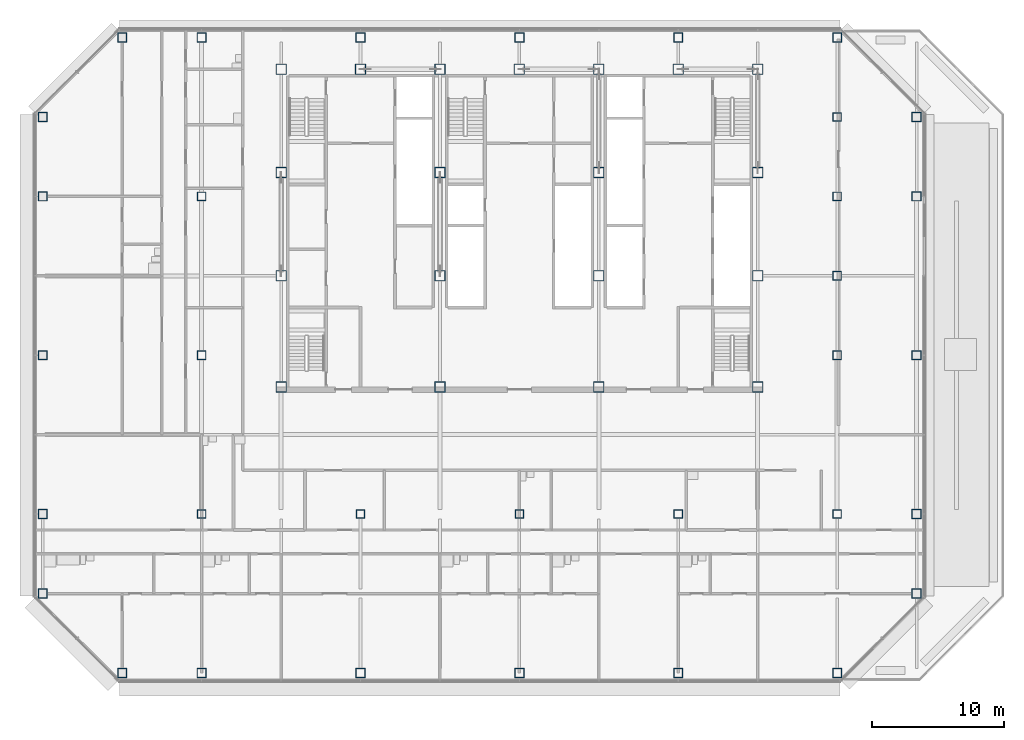
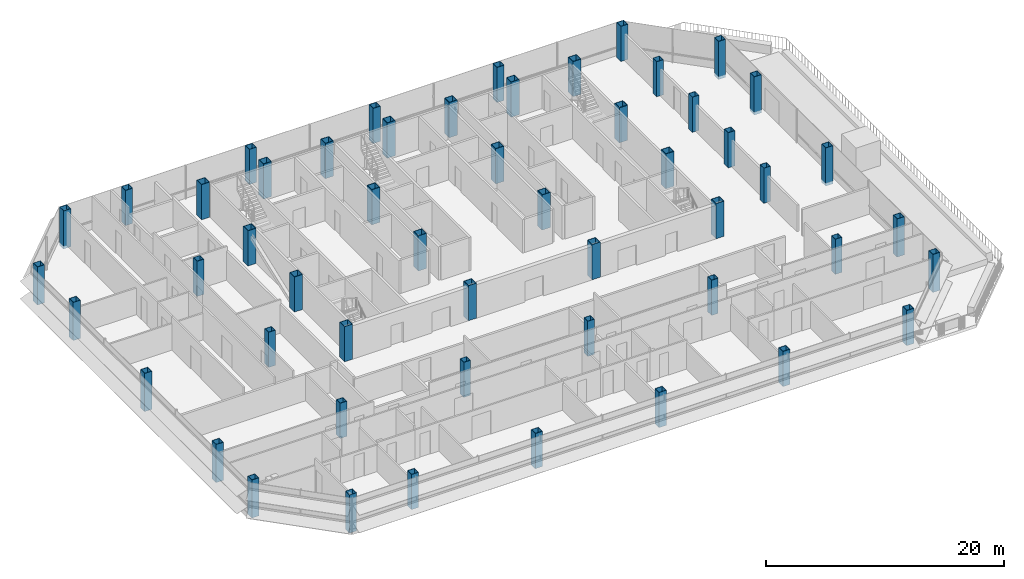
# One storey, part 1 of 27: 52 columns.
"""IFC4 building model written with IfcOpenShell, lengths in metres."""

from ifc_helpers import new_model, si_unit, direction, frame, origin, origin_2d, place, context, subcontext, project, spatial, hollow_rectangle, extrude, material, material_profile, profile_set, type_object, element, save


model = new_model("IFC4")

# Units and contexts
model_context = context("Model", 3, precision=1e-05, world=origin(), true_north=direction((0.0, 1.0)))
body_context = subcontext(model_context, "Body", "Model", "MODEL_VIEW")
ifc_project = project(units=[si_unit("LENGTHUNIT", "METRE"), si_unit("AREAUNIT", "SQUARE_METRE"), si_unit("VOLUMEUNIT", "CUBIC_METRE"), si_unit("PLANEANGLEUNIT", "RADIAN"), si_unit("MASSUNIT", "GRAM", prefix="KILO")], contexts=[model_context])

# Site, building, storey
site_placement = place(None, origin())
site = spatial("IfcSite", under=ifc_project, at=site_placement, CompositionType="ELEMENT")
building_placement = place(site_placement, origin())
building = spatial("IfcBuilding", under=site, at=building_placement, Name="Sorahane Residences", CompositionType="ELEMENT")
storey_placement = place(building_placement, frame((0.0, 0.0, 192.0)))
storey = spatial("IfcBuildingStorey", under=building, at=storey_placement, Name="L44", CompositionType="ELEMENT", Elevation=192.0)

# Columns
ifc_material_1 = material(Name="Steel Q355B", Category="steel")
ifc_material_profile_1 = material_profile(ifc_material_1, hollow_rectangle(XDim=0.64990234375, YDim=0.64990234375, WallThickness=0.031982421875, at=origin_2d()), Name="BOX 650x650x32")
ifc_profile_set_1 = profile_set([ifc_material_profile_1], Name="Steel Q355B")
column_type_1 = type_object("IfcColumnType", Name="Steel box column BOX 650x650x32 Q355B", PredefinedType="COLUMN", material=ifc_profile_set_1)
for number, where, z_axis, x_axis, name in (
    (1, (0.0, 12.0, 0.0), (0.0, 0.0, 1.0), (1.0, 0.0, 0.0), "Column L44 0/12"),
    (2, (0.0, 24.0, 0.0), (0.0, 0.0, 1.0), (1.0, 0.0, 0.0), "Column L44 0/24"),
    (3, (0.0, 36.0, 0.0), (0.0, 0.0, 1.0), (1.0, 0.0, 0.0), "Column L44 0/36"),
    (4, (12.0, 12.0, 0.0), (0.0, 0.0, 1.0), (1.0, 0.0, 0.0), "Column L44 12/12"),
    (5, (24.0, 12.0, 0.0), (0.0, 0.0, 1.0), (1.0, 0.0, 0.0), "Column L44 24/12"),
    (6, (36.0, 12.0, 0.0), (0.0, 0.0, 1.0), (1.0, 0.0, 0.0), "Column L44 36/12"),
    (7, (48.0, 12.0, 0.0), (0.0, 0.0, 1.0), (1.0, 0.0, 0.0), "Column L44 48/12"),
    (8, (48.0, 24.0, 0.0), (0.0, 0.0, 1.0), (1.0, 0.0, 0.0), "Column L44 48/24"),
    (9, (48.0, 30.0, 0.0), (0.0, 0.0, 1.0), (1.0, 0.0, 0.0), "Column L44 48/30"),
    (10, (48.0, 36.0, 0.0), (0.0, 0.0, 1.0), (1.0, 0.0, 0.0), "Column L44 48/36"),
    (11, (48.0, 42.0, 0.0), (0.0, 0.0, 1.0), (1.0, 0.0, 0.0), "Column L44 48/42"),
):
    element("IfcColumn", number, at=place(storey_placement, frame(where, z_axis=z_axis, x_axis=x_axis)), inside=storey, type_object=column_type_1, Name=name, PredefinedType="COLUMN", context=body_context, shape_type="SweptSolid", body=[
        extrude(hollow_rectangle(XDim=0.64990234375, YDim=0.64990234375, WallThickness=0.031982421875, at=origin_2d()), origin(), (0.0, 0.0, 1.0), 3.60009765625),
    ])
ifc_material_2 = material(Name="Steel Q355B", Category="steel")
ifc_material_profile_2 = material_profile(ifc_material_2, hollow_rectangle(XDim=0.699951171875, YDim=0.699951171875, WallThickness=0.035888671875, at=origin_2d()), Name="BOX 700x700x36")
ifc_profile_set_2 = profile_set([ifc_material_profile_2], Name="Steel Q355B")
column_type_2 = type_object("IfcColumnType", Name="Steel box column BOX 700x700x36 Q355B", PredefinedType="COLUMN", material=ifc_profile_set_2)
for number, where, z_axis, x_axis, name in (
    (12, (-12.0, 6.0, -0.300048828125), (0.0, 0.0, 1.0), (1.0, 0.0, 0.0), "Column L44 m12/6"),
    (13, (-12.0, 12.0, -0.300048828125), (0.0, 0.0, 1.0), (1.0, 0.0, 0.0), "Column L44 m12/12"),
    (14, (-12.0, 24.0, -0.300048828125), (0.0, 0.0, 1.0), (1.0, 0.0, 0.0), "Column L44 m12/24"),
    (15, (-12.0, 36.0, -0.300048828125), (0.0, 0.0, 1.0), (1.0, 0.0, 0.0), "Column L44 m12/36"),
    (16, (-12.0, 42.0, -0.300048828125), (0.0, 0.0, 1.0), (1.0, 0.0, 0.0), "Column L44 m12/42"),
    (17, (-6.0, 0.0, -0.300048828125), (0.0, 0.0, 1.0), (1.0, 0.0, 0.0), "Column L44 m6/0"),
    (18, (-6.0, 48.0, -0.300048828125), (0.0, 0.0, 1.0), (1.0, 0.0, 0.0), "Column L44 m6/48"),
):
    element("IfcColumn", number, at=place(storey_placement, frame(where, z_axis=z_axis, x_axis=x_axis)), inside=storey, type_object=column_type_2, Name=name, PredefinedType="COLUMN", context=body_context, shape_type="SweptSolid", body=[
        extrude(hollow_rectangle(XDim=0.699951171875, YDim=0.699951171875, WallThickness=0.035888671875, at=origin_2d()), origin(), (0.0, 0.0, 1.0), 3.900146484375),
    ])
for number, where, z_axis, x_axis, name in (
    (19, (0.0, 0.0, 0.0), (0.0, 0.0, 1.0), (1.0, 0.0, 0.0), "Column L44 0/0"),
    (20, (0.0, 48.0, 0.0), (0.0, 0.0, 1.0), (1.0, 0.0, 0.0), "Column L44 0/48"),
    (21, (12.0, 0.0, 0.0), (0.0, 0.0, 1.0), (1.0, 0.0, 0.0), "Column L44 12/0"),
    (22, (12.0, 48.0, 0.0), (0.0, 0.0, 1.0), (1.0, 0.0, 0.0), "Column L44 12/48"),
    (23, (24.0, 0.0, 0.0), (0.0, 0.0, 1.0), (1.0, 0.0, 0.0), "Column L44 24/0"),
    (24, (24.0, 48.0, 0.0), (0.0, 0.0, 1.0), (1.0, 0.0, 0.0), "Column L44 24/48"),
    (25, (36.0, 0.0, 0.0), (0.0, 0.0, 1.0), (1.0, 0.0, 0.0), "Column L44 36/0"),
    (26, (36.0, 48.0, 0.0), (0.0, 0.0, 1.0), (1.0, 0.0, 0.0), "Column L44 36/48"),
    (27, (48.0, 0.0, 0.0), (0.0, 0.0, 1.0), (1.0, 0.0, 0.0), "Column L44 48/0"),
    (28, (48.0, 48.0, 0.0), (0.0, 0.0, 1.0), (1.0, 0.0, 0.0), "Column L44 48/48"),
):
    element("IfcColumn", number, at=place(storey_placement, frame(where, z_axis=z_axis, x_axis=x_axis)), inside=storey, type_object=column_type_2, Name=name, PredefinedType="COLUMN", context=body_context, shape_type="SweptSolid", body=[
        extrude(hollow_rectangle(XDim=0.699951171875, YDim=0.699951171875, WallThickness=0.035888671875, at=origin_2d()), origin(), (0.0, 0.0, 1.0), 3.60009765625),
    ])
for number, where, z_axis, x_axis, name in (
    (29, (54.0, 6.0, -0.300048828125), (0.0, 0.0, 1.0), (1.0, 0.0, 0.0), "Column L44 54/6"),
    (30, (54.0, 12.0, -0.300048828125), (0.0, 0.0, 1.0), (1.0, 0.0, 0.0), "Column L44 54/12"),
    (31, (54.0, 24.0, -0.300048828125), (0.0, 0.0, 1.0), (1.0, 0.0, 0.0), "Column L44 54/24"),
    (32, (54.0, 36.0, -0.300048828125), (0.0, 0.0, 1.0), (1.0, 0.0, 0.0), "Column L44 54/36"),
    (33, (54.0, 42.0, -0.300048828125), (0.0, 0.0, 1.0), (1.0, 0.0, 0.0), "Column L44 54/42"),
):
    element("IfcColumn", number, at=place(storey_placement, frame(where, z_axis=z_axis, x_axis=x_axis)), inside=storey, type_object=column_type_2, Name=name, PredefinedType="COLUMN", context=body_context, shape_type="SweptSolid", body=[
        extrude(hollow_rectangle(XDim=0.699951171875, YDim=0.699951171875, WallThickness=0.035888671875, at=origin_2d()), origin(), (0.0, 0.0, 1.0), 3.900146484375),
    ])
ifc_material_3 = material(Name="Steel Q420GJ", Category="steel")
ifc_material_profile_3 = material_profile(ifc_material_3, hollow_rectangle(XDim=0.800048828125, YDim=0.800048828125, WallThickness=0.044921875, at=origin_2d()), Name="BOX 800x800x45")
ifc_profile_set_3 = profile_set([ifc_material_profile_3], Name="Steel Q420GJ")
column_type_3 = type_object("IfcColumnType", Name="Steel box column BOX 800x800x45 Q420GJ", PredefinedType="COLUMN", material=ifc_profile_set_3)
for number, where, z_axis, x_axis, name in (
    (34, (6.0, 21.60009765625, 0.0), (0.0, 0.0, 1.0), (1.0, 0.0, 0.0), "Column L44 6/21.6"),
    (35, (6.0, 30.0, 0.0), (0.0, 0.0, 1.0), (1.0, 0.0, 0.0), "Column L44 6/30"),
    (36, (6.0, 37.800048828125, 0.0), (0.0, 0.0, 1.0), (1.0, 0.0, 0.0), "Column L44 6/37.8"),
    (37, (6.0, 45.60009765625, 0.0), (0.0, 0.0, 1.0), (1.0, 0.0, 0.0), "Column L44 6/45.6"),
    (38, (12.0, 45.60009765625, 0.0), (0.0, 0.0, 1.0), (1.0, 0.0, 0.0), "Column L44 12/45.6"),
    (39, (18.0, 21.60009765625, 0.0), (0.0, 0.0, 1.0), (1.0, 0.0, 0.0), "Column L44 18/21.6"),
    (40, (18.0, 30.0, 0.0), (0.0, 0.0, 1.0), (1.0, 0.0, 0.0), "Column L44 18/30"),
    (41, (18.0, 37.800048828125, 0.0), (0.0, 0.0, 1.0), (1.0, 0.0, 0.0), "Column L44 18/37.8"),
    (42, (18.0, 45.60009765625, 0.0), (0.0, 0.0, 1.0), (1.0, 0.0, 0.0), "Column L44 18/45.6"),
    (43, (24.0, 45.60009765625, 0.0), (0.0, 0.0, 1.0), (1.0, 0.0, 0.0), "Column L44 24/45.6"),
    (44, (30.0, 21.60009765625, 0.0), (0.0, 0.0, 1.0), (1.0, 0.0, 0.0), "Column L44 30/21.6"),
    (45, (30.0, 30.0, 0.0), (0.0, 0.0, 1.0), (1.0, 0.0, 0.0), "Column L44 30/30"),
    (46, (30.0, 37.800048828125, 0.0), (0.0, 0.0, 1.0), (1.0, 0.0, 0.0), "Column L44 30/37.8"),
    (47, (30.0, 45.60009765625, 0.0), (0.0, 0.0, 1.0), (1.0, 0.0, 0.0), "Column L44 30/45.6"),
    (48, (36.0, 45.60009765625, 0.0), (0.0, 0.0, 1.0), (1.0, 0.0, 0.0), "Column L44 36/45.6"),
    (49, (42.0, 21.60009765625, 0.0), (0.0, 0.0, 1.0), (1.0, 0.0, 0.0), "Column L44 42/21.6"),
    (50, (42.0, 30.0, 0.0), (0.0, 0.0, 1.0), (1.0, 0.0, 0.0), "Column L44 42/30"),
    (51, (42.0, 37.800048828125, 0.0), (0.0, 0.0, 1.0), (1.0, 0.0, 0.0), "Column L44 42/37.8"),
    (52, (42.0, 45.60009765625, 0.0), (0.0, 0.0, 1.0), (1.0, 0.0, 0.0), "Column L44 42/45.6"),
):
    element("IfcColumn", number, at=place(storey_placement, frame(where, z_axis=z_axis, x_axis=x_axis)), inside=storey, type_object=column_type_3, Name=name, PredefinedType="COLUMN", context=body_context, shape_type="SweptSolid", body=[
        extrude(hollow_rectangle(XDim=0.800048828125, YDim=0.800048828125, WallThickness=0.044921875, at=origin_2d()), origin(), (0.0, 0.0, 1.0), 3.60009765625),
    ])

save(model, "model.ifc")
